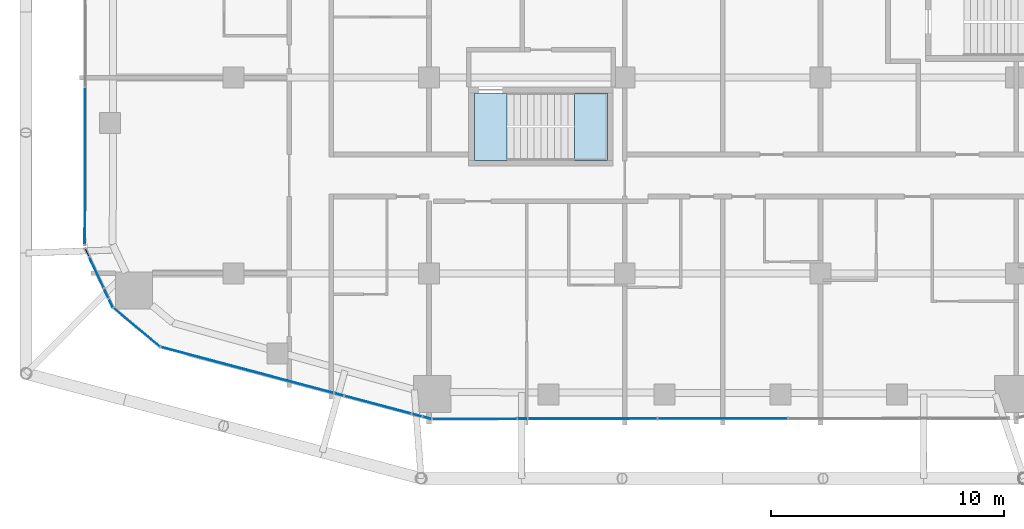
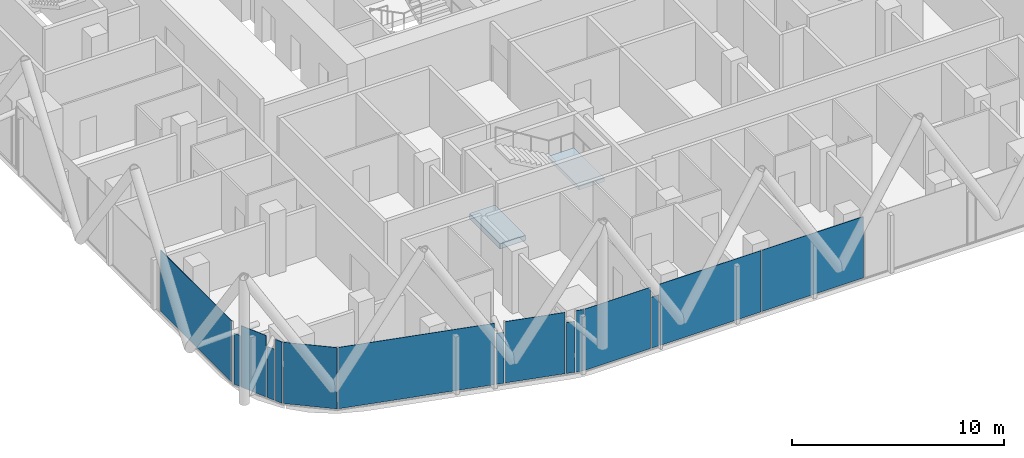
# One storey, part 19 of 36: 15 plates, 2 slabs, 15 elements without a shape of their own.
"""IFC4 building model written with IfcOpenShell, lengths in metres."""

from ifc_helpers import new_model, si_unit, direction, frame, origin, origin_2d, place, context, subcontext, project, spatial, polyline, rectangle, outline, extrude, material, layer, layer_set, type_object, element, aggregate, save


model = new_model("IFC4")

# Units and contexts
model_context = context("Model", 3, precision=1e-05, world=origin(), true_north=direction((0.0, 1.0)))
body_context = subcontext(model_context, "Body", "Model", "MODEL_VIEW")
ifc_project = project(units=[si_unit("LENGTHUNIT", "METRE"), si_unit("AREAUNIT", "SQUARE_METRE"), si_unit("VOLUMEUNIT", "CUBIC_METRE"), si_unit("PLANEANGLEUNIT", "RADIAN"), si_unit("MASSUNIT", "GRAM", prefix="KILO")], contexts=[model_context])

# Site, building, storey
site_placement = place(None, origin())
site = spatial("IfcSite", under=ifc_project, at=site_placement, CompositionType="ELEMENT")
building_placement = place(site_placement, origin())
building = spatial("IfcBuilding", under=site, at=building_placement, Name="Marenta Gate Hotel Tower", CompositionType="ELEMENT")
storey_placement = place(building_placement, frame((0.0, 0.0, 158.89990234375)))
storey = spatial("IfcBuildingStorey", under=building, at=storey_placement, Name="L37", CompositionType="ELEMENT", Elevation=158.89990234375)

# Curtain wall, plate
ifc_material_1 = material(Name="Tinted insulated glass in bronze anodised frame", Category="glass")
ifc_layer_1 = layer(ifc_material_1, 0.1201171875)
ifc_layer_set_1 = layer_set([ifc_layer_1], Name="Tinted insulated glass in bronze anodised frame")
curtain_wall_type = type_object("IfcCurtainWallType", Name="Tower unitised curtain wall CW1", PredefinedType="NOTDEFINED", material=ifc_layer_set_1)
curtain_wall_1_placement = place(storey_placement, origin())
curtain_wall_1 = element("IfcCurtainWall", 1, at=curtain_wall_1_placement, inside=storey, type_object=curtain_wall_type, Name="CW1 run G08", PredefinedType="NOTDEFINED")
ifc_material_2 = material(Name="Tinted insulated glass", Category="glass")
ifc_layer_2 = layer(ifc_material_2, 0.028076171875)
ifc_layer_set_2 = layer_set([ifc_layer_2], Name="Tinted insulated glass")
plate_type = type_object("IfcPlateType", Name="Glass panel CW1 28 mm tinted insulated unit", PredefinedType="CURTAIN_PANEL", material=ifc_layer_set_2)
plate_1_placement = place(storey_placement, frame((-27.367431640625, -12.190185546875, 0.06005859375), z_axis=(0.0, 0.0, 1.0), x_axis=(-0.001564882094, -0.999998775571, 0.0)))
plate_1 = element("IfcPlate", 2, at=plate_1_placement, type_object=plate_type, Name="CW1 panel 3.1", PredefinedType="CURTAIN_PANEL", context=body_context, shape_type="SweptSolid", body=[
    extrude(rectangle(XDim=6.726318359375, YDim=0.028076171875, at=origin_2d()), origin(), (0.0, 0.0, 1.0), 3.5400390625),
])
aggregate(curtain_wall_1, [plate_1])

curtain_wall_2_placement = place(storey_placement, origin())
curtain_wall_2 = element("IfcCurtainWall", 3, at=curtain_wall_2_placement, inside=storey, type_object=curtain_wall_type, Name="CW1 run G09", PredefinedType="NOTDEFINED")
plate_2_placement = place(storey_placement, frame((-27.274658203125, -15.904296875, 0.060302734375), z_axis=(0.0, 0.0, 1.0), x_axis=(0.423345141478, -0.905968482447, 0.0)))
plate_2 = element("IfcPlate", 4, at=plate_2_placement, type_object=plate_type, Name="CW1 panel 1.1", PredefinedType="CURTAIN_PANEL", context=body_context, shape_type="SweptSolid", body=[
    extrude(rectangle(XDim=0.344970703125, YDim=0.028076171875, at=origin_2d()), origin(), (0.0, 0.0, 1.0), 2.9404296875),
])
aggregate(curtain_wall_2, [plate_2])

curtain_wall_3_placement = place(storey_placement, origin())
curtain_wall_3 = element("IfcCurtainWall", 5, at=curtain_wall_3_placement, inside=storey, type_object=curtain_wall_type, Name="CW1 run G10", PredefinedType="NOTDEFINED")
plate_3_placement = place(storey_placement, frame((-26.872802734375, -16.76416015625, 0.06005859375), z_axis=(0.0, 0.0, 1.0), x_axis=(0.423347389488, -0.905967431983, 0.0)))
plate_3 = element("IfcPlate", 6, at=plate_3_placement, type_object=plate_type, Name="CW1 panel 1.1", PredefinedType="CURTAIN_PANEL", context=body_context, shape_type="SweptSolid", body=[
    extrude(rectangle(XDim=1.43310546875, YDim=0.028076171875, at=origin_2d()), origin(), (0.0, 0.0, 1.0), 3.5400390625),
])
aggregate(curtain_wall_3, [plate_3])

curtain_wall_4_placement = place(storey_placement, origin())
curtain_wall_4 = element("IfcCurtainWall", 7, at=curtain_wall_4_placement, inside=storey, type_object=curtain_wall_type, Name="CW1 run G11", PredefinedType="NOTDEFINED")
plate_4_placement = place(storey_placement, frame((-26.45458984375, -17.6591796875, 0.060302734375), z_axis=(0.0, 0.0, 1.0), x_axis=(0.423361641148, -0.905960772222, 0.0)))
plate_4 = element("IfcPlate", 8, at=plate_4_placement, type_object=plate_type, Name="CW1 panel 1.1", PredefinedType="CURTAIN_PANEL", context=body_context, shape_type="SweptSolid", body=[
    extrude(rectangle(XDim=0.4228515625, YDim=0.028076171875, at=origin_2d()), origin(), (0.0, 0.0, 1.0), 2.9404296875),
])
aggregate(curtain_wall_4, [plate_4])

curtain_wall_5_placement = place(storey_placement, origin())
curtain_wall_5 = element("IfcCurtainWall", 9, at=curtain_wall_5_placement, inside=storey, type_object=curtain_wall_type, Name="CW1 run G12", PredefinedType="NOTDEFINED")
plate_5_placement = place(storey_placement, frame((-26.25732421875, -18.081298828125, 0.06005859375), z_axis=(0.0, 0.0, 1.0), x_axis=(0.42327548639, -0.906001027936, 0.0)))
plate_5 = element("IfcPlate", 10, at=plate_5_placement, type_object=plate_type, Name="CW1 panel 1.1", PredefinedType="CURTAIN_PANEL", context=body_context, shape_type="SweptSolid", body=[
    extrude(rectangle(XDim=0.38916015625, YDim=0.028076171875, at=origin_2d()), origin(), (0.0, 0.0, 1.0), 3.5400390625),
])
aggregate(curtain_wall_5, [plate_5])

curtain_wall_6_placement = place(storey_placement, origin())
curtain_wall_6 = element("IfcCurtainWall", 11, at=curtain_wall_6_placement, inside=storey, type_object=curtain_wall_type, Name="CW1 run G13", PredefinedType="NOTDEFINED")
plate_6_placement = place(storey_placement, frame((-25.14111328125, -19.1220703125, 0.06005859375), z_axis=(0.0, 0.0, 1.0), x_axis=(0.767112858807, -0.641512168126, 0.0)))
plate_6 = element("IfcPlate", 12, at=plate_6_placement, type_object=plate_type, Name="CW1 panel 1.1", PredefinedType="CURTAIN_PANEL", context=body_context, shape_type="SweptSolid", body=[
    extrude(rectangle(XDim=2.5751953125, YDim=0.028076171875, at=origin_2d()), origin(), (0.0, 0.0, 1.0), 3.5400390625),
])
aggregate(curtain_wall_6, [plate_6])

curtain_wall_7_placement = place(storey_placement, origin())
curtain_wall_7 = element("IfcCurtainWall", 13, at=curtain_wall_7_placement, inside=storey, type_object=curtain_wall_type, Name="CW1 run G14", PredefinedType="NOTDEFINED")
plate_7_placement = place(storey_placement, frame((-20.40185546875, -20.946533203125, 0.06005859375), z_axis=(0.0, 0.0, 1.0), x_axis=(0.96637246488, -0.257146376841, 0.0)))
plate_7 = element("IfcPlate", 14, at=plate_7_placement, type_object=plate_type, Name="CW1 panel 1.1", PredefinedType="CURTAIN_PANEL", context=body_context, shape_type="SweptSolid", body=[
    extrude(rectangle(XDim=7.644287109375, YDim=0.028076171875, at=origin_2d()), origin(), (0.0, 0.0, 1.0), 3.5400390625),
])
aggregate(curtain_wall_7, [plate_7])

curtain_wall_8_placement = place(storey_placement, origin())
curtain_wall_8 = element("IfcCurtainWall", 15, at=curtain_wall_8_placement, inside=storey, type_object=curtain_wall_type, Name="CW1 run G15", PredefinedType="NOTDEFINED")
plate_8_placement = place(storey_placement, frame((-16.46044921875, -21.995361328125, 0.060302734375), z_axis=(0.0, 0.0, 1.0), x_axis=(0.966370359942, -0.257154287199, 0.0)))
plate_8 = element("IfcPlate", 16, at=plate_8_placement, type_object=plate_type, Name="CW1 panel 1.1", PredefinedType="CURTAIN_PANEL", context=body_context, shape_type="SweptSolid", body=[
    extrude(rectangle(XDim=0.39306640625, YDim=0.028076171875, at=origin_2d()), origin(), (0.0, 0.0, 1.0), 2.9404296875),
])
aggregate(curtain_wall_8, [plate_8])

curtain_wall_9_placement = place(storey_placement, origin())
curtain_wall_9 = element("IfcCurtainWall", 17, at=curtain_wall_9_placement, inside=storey, type_object=curtain_wall_type, Name="CW1 run G16", PredefinedType="NOTDEFINED")
plate_9_placement = place(storey_placement, frame((-14.794921875, -22.4384765625, 0.06005859375), z_axis=(0.0, 0.0, 1.0), x_axis=(0.966375613628, -0.257134543351, 0.0)))
plate_9 = element("IfcPlate", 18, at=plate_9_placement, type_object=plate_type, Name="CW1 panel 1.1", PredefinedType="CURTAIN_PANEL", context=body_context, shape_type="SweptSolid", body=[
    extrude(rectangle(XDim=2.933837890625, YDim=0.028076171875, at=origin_2d()), origin(), (0.0, 0.0, 1.0), 3.5400390625),
])
aggregate(curtain_wall_9, [plate_9])

curtain_wall_10_placement = place(storey_placement, origin())
curtain_wall_10 = element("IfcCurtainWall", 19, at=curtain_wall_10_placement, inside=storey, type_object=curtain_wall_type, Name="CW1 run G17", PredefinedType="NOTDEFINED")
plate_10_placement = place(storey_placement, frame((-13.11669921875, -22.885009765625, 0.060302734375), z_axis=(0.0, 0.0, 1.0), x_axis=(0.966404263523, -0.257026845764, 0.0)))
plate_10 = element("IfcPlate", 20, at=plate_10_placement, type_object=plate_type, Name="CW1 panel 1.1", PredefinedType="CURTAIN_PANEL", context=body_context, shape_type="SweptSolid", body=[
    extrude(rectangle(XDim=0.419677734375, YDim=0.028076171875, at=origin_2d()), origin(), (0.0, 0.0, 1.0), 2.9404296875),
])
aggregate(curtain_wall_10, [plate_10])

curtain_wall_11_placement = place(storey_placement, origin())
curtain_wall_11 = element("IfcCurtainWall", 21, at=curtain_wall_11_placement, inside=storey, type_object=curtain_wall_type, Name="CW1 run G18", PredefinedType="NOTDEFINED")
plate_11_placement = place(storey_placement, frame((-12.680908203125, -23.0009765625, 0.06005859375), z_axis=(0.0, 0.0, 1.0), x_axis=(0.966337096576, -0.257279256414, 0.0)))
plate_11 = element("IfcPlate", 22, at=plate_11_placement, type_object=plate_type, Name="CW1 panel 1.1", PredefinedType="CURTAIN_PANEL", context=body_context, shape_type="SweptSolid", body=[
    extrude(rectangle(XDim=0.362060546875, YDim=0.028076171875, at=origin_2d()), origin(), (0.0, 0.0, 1.0), 3.5400390625),
])
aggregate(curtain_wall_11, [plate_11])

curtain_wall_12_placement = place(storey_placement, origin())
curtain_wall_12 = element("IfcCurtainWall", 23, at=curtain_wall_12_placement, inside=storey, type_object=curtain_wall_type, Name="CW1 run G19", PredefinedType="NOTDEFINED")
plate_12_placement = place(storey_placement, frame((-10.64501953125, -23.044921875, 0.06005859375), z_axis=(0.0, 0.0, 1.0), x_axis=(0.999999067674, 0.001365521987, 0.0)))
plate_12 = element("IfcPlate", 24, at=plate_12_placement, type_object=plate_type, Name="CW1 panel 1.1", PredefinedType="CURTAIN_PANEL", context=body_context, shape_type="SweptSolid", body=[
    extrude(rectangle(XDim=3.6015625, YDim=0.028076171875, at=origin_2d()), origin(), (0.0, 0.0, 1.0), 3.5400390625),
])
aggregate(curtain_wall_12, [plate_12])

curtain_wall_13_placement = place(storey_placement, origin())
curtain_wall_13 = element("IfcCurtainWall", 25, at=curtain_wall_13_placement, inside=storey, type_object=curtain_wall_type, Name="CW1 run G20", PredefinedType="NOTDEFINED")
plate_13_placement = place(storey_placement, frame((-8.587890625, -23.042236328125, 0.060302734375), z_axis=(0.0, 0.0, 1.0), x_axis=(0.999999122847, 0.001324502144, 0.0)))
plate_13 = element("IfcPlate", 26, at=plate_13_placement, type_object=plate_type, Name="CW1 panel 1.1", PredefinedType="CURTAIN_PANEL", context=body_context, shape_type="SweptSolid", body=[
    extrude(rectangle(XDim=0.39306640625, YDim=0.028076171875, at=origin_2d()), origin(), (0.0, 0.0, 1.0), 2.9404296875),
])
aggregate(curtain_wall_13, [plate_13])

# Curtain wall, plates
curtain_wall_14_placement = place(storey_placement, origin())
curtain_wall_14 = element("IfcCurtainWall", 27, at=curtain_wall_14_placement, inside=storey, type_object=curtain_wall_type, Name="CW1 run G21", PredefinedType="NOTDEFINED")
plate_14_placement = place(storey_placement, frame((-5.576416015625, -23.0380859375, 0.06005859375), z_axis=(0.0, 0.0, 1.0), x_axis=(0.999999070887, 0.001363166999, 0.0)))
plate_14 = element("IfcPlate", 28, at=plate_14_placement, type_object=plate_type, Name="CW1 panel 1.1", PredefinedType="CURTAIN_PANEL", context=body_context, shape_type="SweptSolid", body=[
    extrude(rectangle(XDim=5.509765625, YDim=0.028076171875, at=origin_2d()), origin(), (0.0, 0.0, 1.0), 3.5400390625),
])
plate_15_placement = place(storey_placement, frame((0.00830078125, -23.030517578125, 0.06005859375), z_axis=(0.0, 0.0, 1.0), x_axis=(0.999999070887, 0.001363166999, 0.0)))
plate_15 = element("IfcPlate", 29, at=plate_15_placement, type_object=plate_type, Name="CW1 panel 2.1", PredefinedType="CURTAIN_PANEL", context=body_context, shape_type="SweptSolid", body=[
    extrude(rectangle(XDim=5.539794921875, YDim=0.028076171875, at=origin_2d()), origin(), (0.0, 0.0, 1.0), 3.5400390625),
])
aggregate(curtain_wall_14, [plate_14, plate_15])

# Stair, slab
ifc_material_3 = material(Name="Concrete C40", Category="concrete")
stair_type = type_object("IfcStairType", Name="Remote exit stair 1400 wide", PredefinedType="HALF_TURN_STAIR", material=ifc_material_3)
stair_placement = place(storey_placement, origin())
stair = element("IfcStair", 30, at=stair_placement, inside=storey, type_object=stair_type, Name="Exit stair RS-Z2-1", PredefinedType="HALF_TURN_STAIR")
ifc_material_4 = material(Name="Concrete C40", Category="concrete")
ifc_layer_3 = layer(ifc_material_4, 0.199951171875)
ifc_layer_set_3 = layer_set([ifc_layer_3], Name="Concrete C40")
slab_type_1 = type_object("IfcSlabType", Name="Remote stair landing 200", PredefinedType="LANDING", material=ifc_layer_set_3)
slab_1_placement = place(storey_placement, frame((0.0, 0.0, 1.60009765625)))
slab_1 = element("IfcSlab", 31, at=slab_1_placement, type_object=slab_type_1, Name="RL-200 RS-Z2-1 landing 1", PredefinedType="LANDING", context=body_context, shape_type="SweptSolid", body=[
    extrude(outline(polyline([(-6.35009765625, -11.949951171875), (-4.949951171875, -11.949951171875), (-4.949951171875, -9.050048828125), (-6.35009765625, -9.050048828125), (-6.35009765625, -11.949951171875)])), origin(), (0.0, 0.0, 1.0), 0.199951171875),
])
aggregate(stair, [slab_1])

# Slab
ifc_material_5 = material(Name="Concrete C40", Category="concrete")
ifc_layer_4 = layer(ifc_material_5, 0.300048828125)
ifc_layer_set_4 = layer_set([ifc_layer_4], Name="Concrete C40")
slab_type_2 = type_object("IfcSlabType", Name="Stair floor landing slab 300", PredefinedType="FLOOR", material=ifc_layer_set_4)
slab_2_placement = place(storey_placement, frame((0.0, 0.0, -0.2998046875)))
element("IfcSlab", 32, at=slab_2_placement, inside=storey, type_object=slab_type_2, Name="L37-RS-Z2-1-CL", PredefinedType="FLOOR", context=body_context, shape_type="SweptSolid", body=[
    extrude(outline(polyline([(-9.25, -11.949951171875), (-9.25, -9.050048828125), (-10.64990234375, -9.050048828125), (-10.64990234375, -11.949951171875), (-9.25, -11.949951171875)])), origin(), (0.0, 0.0, 1.0), 0.2998046875),
])

save(model, "model.ifc")
